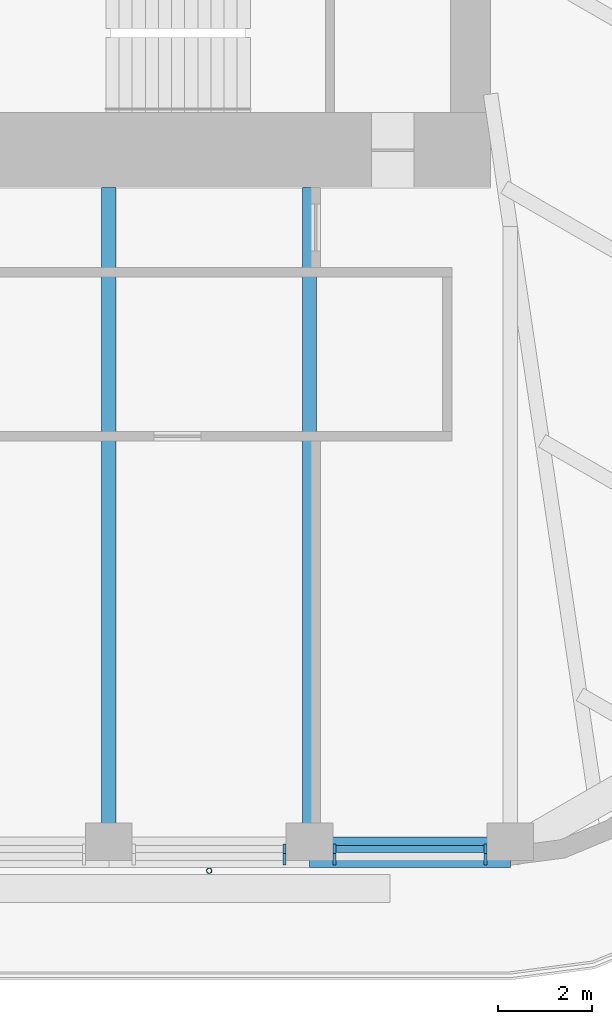
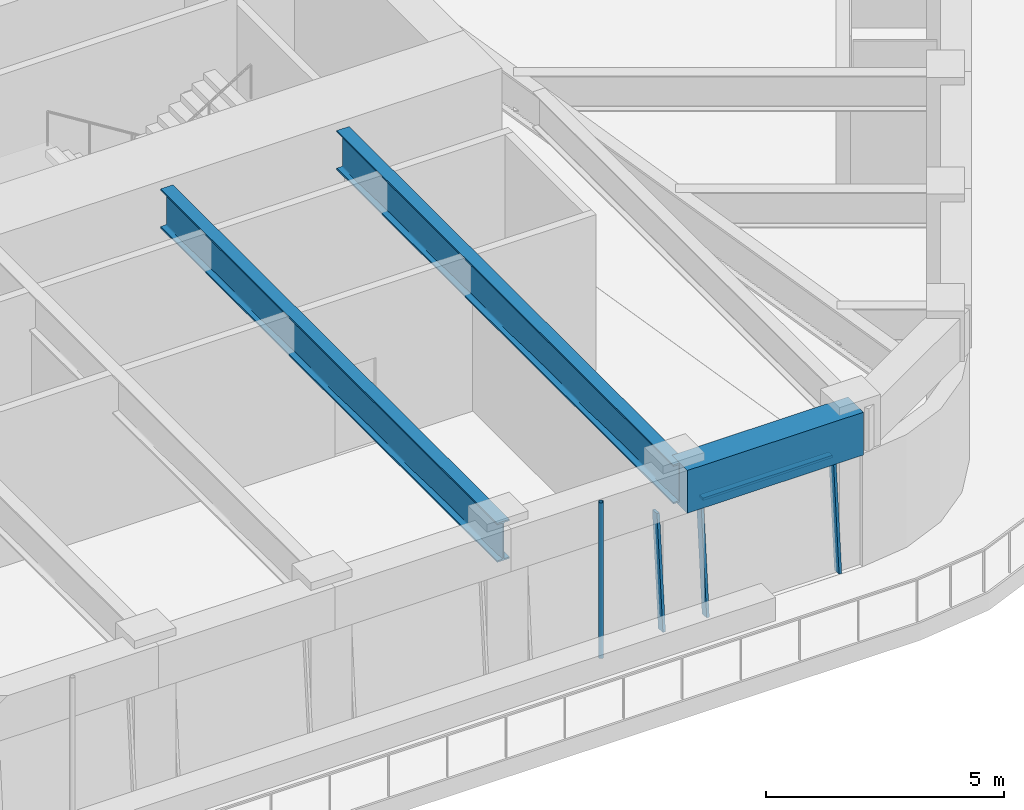
# One storey, part 4 of 19: 5 members, 3 beams, 2 elements without a shape of their own.
"""IFC4 building model written with IfcOpenShell, lengths in metres."""

import ifcopenshell
import ifcopenshell.guid

model = None  # the IFC model being written
_history = None  # IfcOwnerHistory: only IFC2X3 demands one
_inside = {}  # id of a spatial element -> (the spatial element, [elements in it])
_under = {}  # id of a project, library or spatial element -> (it, [spatial elements below it])
_declared = {}  # id of a project -> (the project, [libraries it declares])
_typed = {}  # id of a type object -> (the type object, [elements of that type])
_made_of = {}  # id of a material, layer set ... -> (it, [elements and type objects made of it])


def new_model(schema):
    """Start an empty IFC model of exactly this schema.

    Asked for "IFC4X3", IfcOpenShell would pick the latest addendum, in which some entities
    have other attributes; the version numbers below select the first issue.
    IFC2X3 requires an IfcOwnerHistory on every rooted entity: one is made here for all.
    """
    global model, _history
    if schema == "IFC4X3":
        model = ifcopenshell.file(schema_version=(4, 3, 0, 0))
    else:
        model = ifcopenshell.file(schema=schema)
    _inside.clear()
    _under.clear()
    _declared.clear()
    _typed.clear()
    _made_of.clear()
    _history = None
    if model.schema == "IFC2X3":
        org = make("IfcOrganization", Name="unknown")
        user = make(
            "IfcPersonAndOrganization",
            ThePerson=make("IfcPerson", FamilyName="unknown"),
            TheOrganization=org,
        )
        app = make(
            "IfcApplication",
            ApplicationDeveloper=org,
            Version="unknown",
            ApplicationFullName="unknown",
            ApplicationIdentifier="unknown",
        )
        _history = make(
            "IfcOwnerHistory",
            OwningUser=user,
            OwningApplication=app,
            ChangeAction="ADDED",
            CreationDate=0,
        )
    return model


def make(cls, **values):
    """One entity of the class cls with the attributes given. An attribute that is None is left unset."""
    return model.create_entity(
        cls, **{name: value for name, value in values.items() if value is not None}
    )


def rooted(cls, **values):
    """An entity with a GlobalId (a new one), such as an element, a storey or a relation."""
    return make(cls, GlobalId=ifcopenshell.guid.new(), OwnerHistory=_history, **values)


def si_unit(unit_type, name, prefix=None):
    """IfcSIUnit, for example si_unit("LENGTHUNIT", "METRE", prefix="MILLI")."""
    return make("IfcSIUnit", UnitType=unit_type, Prefix=prefix, Name=name)


def assignment(units):
    """IfcUnitAssignment: the units of a project."""
    return None if units is None else make("IfcUnitAssignment", Units=units)


def point(xyz):
    """IfcCartesianPoint."""
    return None if xyz is None else make("IfcCartesianPoint", Coordinates=xyz)


def direction(xyz):
    """IfcDirection."""
    return None if xyz is None else make("IfcDirection", DirectionRatios=xyz)


def frame(location, z_axis=None, x_axis=None):
    """IfcAxis2Placement3D, a coordinate frame: its origin and axes. An axis left out is left unset."""
    return make(
        "IfcAxis2Placement3D",
        Location=point(location),
        Axis=direction(z_axis),
        RefDirection=direction(x_axis),
    )


def frame_2d(location, x_axis=None):
    """IfcAxis2Placement2D, a coordinate frame in the plane: its origin and x axis."""
    return make(
        "IfcAxis2Placement2D", Location=point(location), RefDirection=direction(x_axis)
    )


def origin():
    """The frame at (0, 0, 0) with its axes left unset."""
    return frame((0.0, 0.0, 0.0))


def origin_2d():
    """The frame at (0, 0) in the plane with its x axis left unset."""
    return frame_2d((0.0, 0.0))


def place(relative_to, where):
    """IfcLocalPlacement: puts the frame where relative to a parent placement (None: the world)."""
    return make(
        "IfcLocalPlacement", PlacementRelTo=relative_to, RelativePlacement=where
    )


def context(
    kind, dimensions, precision=None, world=None, true_north=None, identifier=None
):
    """IfcGeometricRepresentationContext, for example the 3D "Model" context."""
    return make(
        "IfcGeometricRepresentationContext",
        ContextIdentifier=identifier,
        ContextType=kind,
        CoordinateSpaceDimension=dimensions,
        Precision=precision,
        WorldCoordinateSystem=world,
        TrueNorth=true_north,
    )


def subcontext(parent, identifier, kind, view, scale=None):
    """IfcGeometricRepresentationSubContext, for example "Body" below "Model"."""
    return make(
        "IfcGeometricRepresentationSubContext",
        ContextIdentifier=identifier,
        ContextType=kind,
        ParentContext=parent,
        TargetScale=scale,
        TargetView=view,
    )


def project(units=None, contexts=None):
    """IfcProject with its units and contexts."""
    return rooted(
        "IfcProject",
        Name="project",
        RepresentationContexts=contexts,
        UnitsInContext=assignment(units),
    )


def spatial(cls, under=None, at=None, **own):
    """A site, building, storey or space (cls), placed at a placement, below another one or the project."""
    s = rooted(cls, ObjectPlacement=at, **own)
    if under is not None:
        _under.setdefault(under.id(), (under, []))[1].append(s)
    return s


def profile(cls, at=None, kind="AREA", **sizes):
    """A parametric profile (cls). Its sizes go by their IFC names, for example OverallWidth=200.0."""
    return make(cls, ProfileType=kind, Position=at, **sizes)


def rectangle(**sizes):
    """IfcRectangleProfileDef."""
    return profile("IfcRectangleProfileDef", **sizes)


def hollow_circle(**sizes):
    """IfcCircleHollowProfileDef."""
    return profile("IfcCircleHollowProfileDef", **sizes)


def i_section(**sizes):
    """IfcIShapeProfileDef."""
    return profile("IfcIShapeProfileDef", **sizes)


def extrude(swept, where, along, depth):
    """IfcExtrudedAreaSolid: the profile swept, set in the frame where, extruded along a direction by depth."""
    return make(
        "IfcExtrudedAreaSolid",
        SweptArea=swept,
        Position=where,
        ExtrudedDirection=direction(along),
        Depth=depth,
    )


def shape(context_of_items, identifier, shape_type, items):
    """IfcShapeRepresentation: the items that make up one representation, for example the "Body"."""
    return make(
        "IfcShapeRepresentation",
        ContextOfItems=context_of_items,
        RepresentationIdentifier=identifier,
        RepresentationType=shape_type,
        Items=items,
    )


def material(Name=None, Category=None):
    """IfcMaterial."""
    return make("IfcMaterial", Name=Name, Category=Category)


def material_profile(
    of_material, cross_section, Name=None, Category=None, Priority=None
):
    """IfcMaterialProfile: a cross section and its material."""
    return make(
        "IfcMaterialProfile",
        Name=Name,
        Material=of_material,
        Profile=cross_section,
        Priority=Priority,
        Category=Category,
    )


def profile_set(profiles, Name=None, composite=None):
    """IfcMaterialProfileSet."""
    return make(
        "IfcMaterialProfileSet",
        Name=Name,
        MaterialProfiles=profiles,
        CompositeProfile=composite,
    )


def made_of(thing, what):
    """Note that an element or type object is made of a material, layer set ...; save() writes the relation."""
    if what is not None:
        _made_of.setdefault(what.id(), (what, []))[1].append(thing)
    return thing


def type_object(cls, material=None, **own):
    """A type object (cls), such as IfcWallType, which elements share."""
    return made_of(rooted(cls, **own), material)


def element(
    cls,
    number,
    at=None,
    inside=None,
    cuts=None,
    type_object=None,
    material=None,
    context=None,
    identifier="Body",
    shape_type=None,
    held_by="IfcProductDefinitionShape",
    body=None,
    shapes=None,
    **own,
):
    """One element of the class cls, such as IfcWall. Its Tag is "e" and its number.

    at: its placement. inside: the storey or other place that contains it. cuts: it is an
    opening in that element (IfcRelVoidsElement). A single representation is given by context,
    identifier, shape_type and body (its items); several are given by shapes. held_by: the class
    of the entity that holds the representations. save() writes the other relations.
    """
    e = rooted(cls, Tag="e%d" % number, ObjectPlacement=at, **own)
    if body is not None:
        shapes = [shape(context, identifier, shape_type, body)]
    if shapes is not None:
        e.Representation = make(held_by, Representations=shapes)
    if inside is not None:
        _inside.setdefault(inside.id(), (inside, []))[1].append(e)
    if cuts is not None:
        rooted(
            "IfcRelVoidsElement", RelatingBuildingElement=cuts, RelatedOpeningElement=e
        )
    if type_object is not None:
        _typed.setdefault(type_object.id(), (type_object, []))[1].append(e)
    return made_of(e, material)


def aggregate(whole, parts):
    """IfcRelAggregates: a whole, such as a stair, and the parts it consists of."""
    return rooted("IfcRelAggregates", RelatingObject=whole, RelatedObjects=parts)


def save(model, path):
    """Write the relations noted so far, then the file.

    IfcRelAggregates (storeys below a building ...), IfcRelContainedInSpatialStructure (elements
    in a storey), IfcRelDefinesByType, IfcRelAssociatesMaterial and IfcRelDeclares: one each for
    every whole, place, type object, material and project.
    """
    for whole, parts in _under.values():
        aggregate(whole, parts)
    for where, things in _inside.values():
        rooted(
            "IfcRelContainedInSpatialStructure",
            RelatedElements=things,
            RelatingStructure=where,
        )
    for kind, things in _typed.values():
        rooted("IfcRelDefinesByType", RelatedObjects=things, RelatingType=kind)
    for what, things in _made_of.values():
        rooted("IfcRelAssociatesMaterial", RelatedObjects=things, RelatingMaterial=what)
    for by, libraries in _declared.values():
        rooted("IfcRelDeclares", RelatingContext=by, RelatedDefinitions=libraries)
    model.write(path)


model = new_model("IFC4")

# Units and contexts
model_context = context("Model", 3, precision=1e-05, world=origin(), true_north=direction((0.0, 1.0)))
body_context = subcontext(model_context, "Body", "Model", "MODEL_VIEW")
ifc_project = project(units=[si_unit("LENGTHUNIT", "METRE"), si_unit("AREAUNIT", "SQUARE_METRE"), si_unit("VOLUMEUNIT", "CUBIC_METRE"), si_unit("PLANEANGLEUNIT", "RADIAN"), si_unit("MASSUNIT", "GRAM", prefix="KILO")], contexts=[model_context])

# Site, building, storey
site_placement = place(None, origin())
site = spatial("IfcSite", under=ifc_project, at=site_placement, CompositionType="ELEMENT")
building_placement = place(site_placement, origin())
building = spatial("IfcBuilding", under=site, at=building_placement, Name="Tarfa Lantern Tower", CompositionType="ELEMENT")
storey_placement = place(building_placement, frame((0.0, 0.0, 340.89990234375)))
storey = spatial("IfcBuildingStorey", under=building, at=storey_placement, Name="L77", CompositionType="ELEMENT", Elevation=340.89990234375)

# Curtain wall, member
ifc_material_1 = material(Name="Aluminium framed curtain wall", Category="aluminium")
curtain_wall_type = type_object("IfcCurtainWallType", Name="CW4 CANTED GLAZING EXECUTIVE ZONE 2900", PredefinedType="USERDEFINED", material=ifc_material_1)
curtain_wall_1_placement = place(storey_placement, origin())
curtain_wall_1 = element("IfcCurtainWall", 1, at=curtain_wall_1_placement, inside=storey, type_object=curtain_wall_type, Name="CW4 S L77", ObjectType="CURTAIN WALL", PredefinedType="USERDEFINED")
ifc_material_2 = material(Name="Aluminium mullion", Category="aluminium")
ifc_material_profile_1 = material_profile(ifc_material_2, rectangle(XDim=0.06494140625, YDim=0.199951171875, at=origin_2d()), Name="AL MULLION 65x200")
ifc_profile_set_1 = profile_set([ifc_material_profile_1], Name="Aluminium mullion")
member_type_1 = type_object("IfcMemberType", Name="CWM1 MULLION 65x200", PredefinedType="MULLION", material=ifc_profile_set_1)
member_1_placement = place(storey_placement, frame((8.031494140625, -26.64990234375, 0.0), z_axis=(0.0, 0.085884035992, 0.996305140186), x_axis=(-1.0, 0.0, 0.0)))
member_1 = element("IfcMember", 2, at=member_1_placement, type_object=member_type_1, Name="CW4 mullion 2", PredefinedType="MULLION", context=body_context, shape_type="SweptSolid", body=[
    extrude(rectangle(XDim=0.06494140625, YDim=0.199951171875, at=origin_2d()), origin(), (0.0, 0.0, 1.0), 2.910888671875),
])
aggregate(curtain_wall_1, [member_1])

# Curtain wall, members
curtain_wall_2_placement = place(storey_placement, origin())
curtain_wall_2 = element("IfcCurtainWall", 3, at=curtain_wall_2_placement, inside=storey, type_object=curtain_wall_type, Name="CW4 S L77", ObjectType="CURTAIN WALL", PredefinedType="USERDEFINED")
member_2_placement = place(storey_placement, frame((9.096435546875, -26.64990234375, 0.0), z_axis=(0.0, 0.085884035992, 0.996305140186), x_axis=(-1.0, 0.0, 0.0)))
member_2 = element("IfcMember", 4, at=member_2_placement, type_object=member_type_1, Name="CW4 mullion 1", PredefinedType="MULLION", context=body_context, shape_type="SweptSolid", body=[
    extrude(rectangle(XDim=0.06494140625, YDim=0.199951171875, at=origin_2d()), origin(), (0.0, 0.0, 1.0), 2.910888671875),
])
member_3_placement = place(storey_placement, frame((12.3134765625, -26.64990234375, 0.0), z_axis=(0.0, 0.085884035992, 0.996305140186), x_axis=(-1.0, 0.0, 0.0)))
member_3 = element("IfcMember", 5, at=member_3_placement, type_object=member_type_1, Name="CW4 mullion 2", PredefinedType="MULLION", context=body_context, shape_type="SweptSolid", body=[
    extrude(rectangle(XDim=0.06494140625, YDim=0.199951171875, at=origin_2d()), origin(), (0.0, 0.0, 1.0), 2.910888671875),
])
ifc_material_3 = material(Name="Aluminium transom", Category="aluminium")
ifc_material_profile_2 = material_profile(ifc_material_3, rectangle(XDim=0.14990234375, YDim=0.06494140625, at=origin_2d()), Name="AL TRANSOM 150x65")
ifc_profile_set_2 = profile_set([ifc_material_profile_2], Name="Aluminium transom")
member_type_2 = type_object("IfcMemberType", Name="CWT1 TRANSOM 150x65", PredefinedType="USERDEFINED", material=ifc_profile_set_2)
member_4_placement = place(storey_placement, frame((9.129150390625, -26.40283203125, 2.86767578125), z_axis=(1.0, 0.0, 0.0), x_axis=(0.0, 1.0, 0.0)))
member_4 = element("IfcMember", 6, at=member_4_placement, type_object=member_type_2, Name="CW4 transom 1.2", ObjectType="TRANSOM", PredefinedType="USERDEFINED", context=body_context, shape_type="SweptSolid", body=[
    extrude(rectangle(XDim=0.14990234375, YDim=0.06494140625, at=origin_2d()), origin(), (0.0, 0.0, 1.0), 3.15185546875),
])
aggregate(curtain_wall_2, [member_2, member_3, member_4])

# Beam
ifc_material_4 = material(Name="Concrete C80/95", Category="concrete")
ifc_material_profile_3 = material_profile(ifc_material_4, rectangle(XDim=0.64990234375, YDim=1.10009765625, at=origin_2d()), Name="RC 650x1100")
ifc_profile_set_3 = profile_set([ifc_material_profile_3], Name="Concrete C80/95")
beam_type_1 = type_object("IfcBeamType", Name="EB4 RC 650x1100", PredefinedType="SPANDREL", material=ifc_profile_set_3)
beam_placement = place(storey_placement, frame((8.56396484375, -26.469970703125, 3.4501953125), z_axis=(1.0, 0.0, 0.0), x_axis=(0.0, 1.0, 0.0)))
element("IfcBeam", 7, at=beam_placement, inside=storey, type_object=beam_type_1, Name="Edge beam S5", PredefinedType="SPANDREL", context=body_context, shape_type="SweptSolid", body=[
    extrude(rectangle(XDim=0.64990234375, YDim=1.10009765625, at=origin_2d()), origin(), (0.0, 0.0, 1.0), 4.281982421875),
])

# Member
ifc_material_5 = material(Name="Steel S355", Category="steel")
ifc_material_profile_4 = material_profile(ifc_material_5, hollow_circle(Radius=0.05712890625, WallThickness=0.00634765625, at=origin_2d()), Name="CHS114.3x6.3")
ifc_profile_set_4 = profile_set([ifc_material_profile_4], Name="Steel S355")
member_type_3 = type_object("IfcMemberType", Name="TR1 GREEN WALL TRELLIS CHS114.3x6.3", PredefinedType="USERDEFINED", material=ifc_profile_set_4)
member_5_placement = place(storey_placement, frame((6.423095703125, -26.8701171875, 0.0), z_axis=(0.0, 0.0, 1.0), x_axis=(1.0, 0.0, 0.0)))
element("IfcMember", 8, at=member_5_placement, inside=storey, type_object=member_type_3, Name="Trellis post S 2", ObjectType="TRELLIS", PredefinedType="USERDEFINED", context=body_context, shape_type="SweptSolid", body=[
    extrude(hollow_circle(Radius=0.05712890625, WallThickness=0.00634765625, at=origin_2d()), origin(), (0.0, 0.0, 1.0), 4.0),
])

# Beams
ifc_material_6 = material(Name="Steel S460M", Category="steel")
ifc_material_profile_5 = material_profile(ifc_material_6, i_section(OverallWidth=0.302001953125, OverallDepth=1.008056640625, WebThickness=0.02099609375, FlangeThickness=0.0400390625, FilletRadius=0.030029296875, at=origin_2d()), Name="UB1016x305x349")
ifc_profile_set_5 = profile_set([ifc_material_profile_5], Name="Steel S460M")
beam_type_2 = type_object("IfcBeamType", Name="UB1016x305x349", PredefinedType="BEAM", material=ifc_profile_set_5)
for number, where, z_axis, x_axis, name in (
    (9, (4.281982421875, -26.469970703125, 3.49609375), (0.0, 1.0, 0.0), (-1.0, 0.0, 0.0), "Floor beam S4"),
    (10, (8.56396484375, -26.469970703125, 3.49609375), (0.0, 1.0, 0.0), (-1.0, 0.0, 0.0), "Floor beam S5"),
):
    element("IfcBeam", number, at=place(storey_placement, frame(where, z_axis=z_axis, x_axis=x_axis)), inside=storey, type_object=beam_type_2, Name=name, PredefinedType="BEAM", context=body_context, shape_type="SweptSolid", body=[
        extrude(i_section(OverallWidth=0.302001953125, OverallDepth=1.008056640625, WebThickness=0.02099609375, FlangeThickness=0.0400390625, FilletRadius=0.030029296875, at=origin_2d()), origin(), (0.0, 0.0, 1.0), 14.169921875),
    ])

save(model, "model.ifc")
